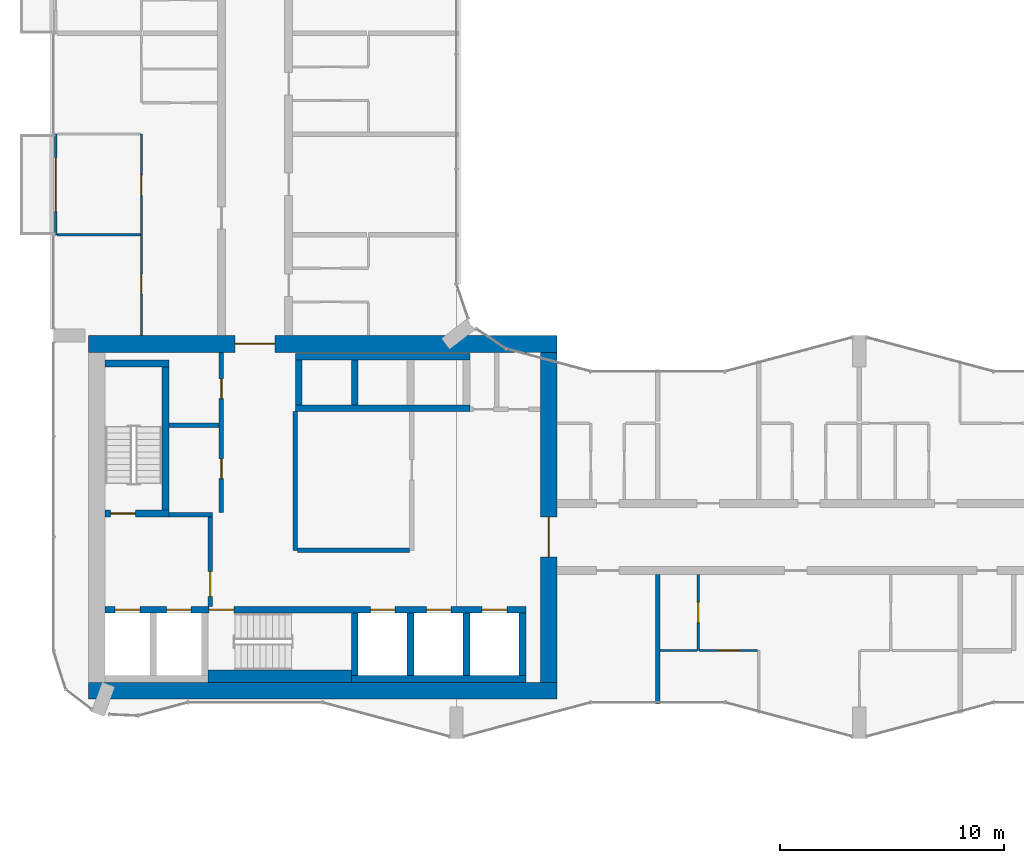
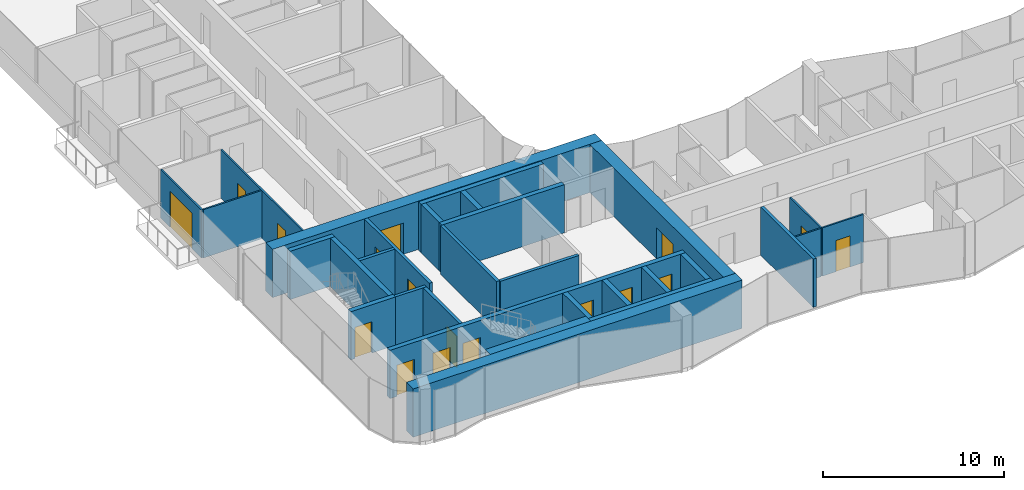
# One storey, part 14 of 24: 30 walls, 17 doors, 17 openings.
"""IFC4 building model written with IfcOpenShell, lengths in metres."""

import ifcopenshell
import ifcopenshell.guid

model = None  # the IFC model being written
_history = None  # IfcOwnerHistory: only IFC2X3 demands one
_inside = {}  # id of a spatial element -> (the spatial element, [elements in it])
_under = {}  # id of a project, library or spatial element -> (it, [spatial elements below it])
_declared = {}  # id of a project -> (the project, [libraries it declares])
_typed = {}  # id of a type object -> (the type object, [elements of that type])
_made_of = {}  # id of a material, layer set ... -> (it, [elements and type objects made of it])


def new_model(schema):
    """Start an empty IFC model of exactly this schema.

    Asked for "IFC4X3", IfcOpenShell would pick the latest addendum, in which some entities
    have other attributes; the version numbers below select the first issue.
    IFC2X3 requires an IfcOwnerHistory on every rooted entity: one is made here for all.
    """
    global model, _history
    if schema == "IFC4X3":
        model = ifcopenshell.file(schema_version=(4, 3, 0, 0))
    else:
        model = ifcopenshell.file(schema=schema)
    _inside.clear()
    _under.clear()
    _declared.clear()
    _typed.clear()
    _made_of.clear()
    _history = None
    if model.schema == "IFC2X3":
        org = make("IfcOrganization", Name="unknown")
        user = make(
            "IfcPersonAndOrganization",
            ThePerson=make("IfcPerson", FamilyName="unknown"),
            TheOrganization=org,
        )
        app = make(
            "IfcApplication",
            ApplicationDeveloper=org,
            Version="unknown",
            ApplicationFullName="unknown",
            ApplicationIdentifier="unknown",
        )
        _history = make(
            "IfcOwnerHistory",
            OwningUser=user,
            OwningApplication=app,
            ChangeAction="ADDED",
            CreationDate=0,
        )
    return model


def make(cls, **values):
    """One entity of the class cls with the attributes given. An attribute that is None is left unset."""
    return model.create_entity(
        cls, **{name: value for name, value in values.items() if value is not None}
    )


def rooted(cls, **values):
    """An entity with a GlobalId (a new one), such as an element, a storey or a relation."""
    return make(cls, GlobalId=ifcopenshell.guid.new(), OwnerHistory=_history, **values)


def si_unit(unit_type, name, prefix=None):
    """IfcSIUnit, for example si_unit("LENGTHUNIT", "METRE", prefix="MILLI")."""
    return make("IfcSIUnit", UnitType=unit_type, Prefix=prefix, Name=name)


def assignment(units):
    """IfcUnitAssignment: the units of a project."""
    return None if units is None else make("IfcUnitAssignment", Units=units)


def point(xyz):
    """IfcCartesianPoint."""
    return None if xyz is None else make("IfcCartesianPoint", Coordinates=xyz)


def direction(xyz):
    """IfcDirection."""
    return None if xyz is None else make("IfcDirection", DirectionRatios=xyz)


def frame(location, z_axis=None, x_axis=None):
    """IfcAxis2Placement3D, a coordinate frame: its origin and axes. An axis left out is left unset."""
    return make(
        "IfcAxis2Placement3D",
        Location=point(location),
        Axis=direction(z_axis),
        RefDirection=direction(x_axis),
    )


def frame_2d(location, x_axis=None):
    """IfcAxis2Placement2D, a coordinate frame in the plane: its origin and x axis."""
    return make(
        "IfcAxis2Placement2D", Location=point(location), RefDirection=direction(x_axis)
    )


def origin():
    """The frame at (0, 0, 0) with its axes left unset."""
    return frame((0.0, 0.0, 0.0))


def place(relative_to, where):
    """IfcLocalPlacement: puts the frame where relative to a parent placement (None: the world)."""
    return make(
        "IfcLocalPlacement", PlacementRelTo=relative_to, RelativePlacement=where
    )


def context(
    kind, dimensions, precision=None, world=None, true_north=None, identifier=None
):
    """IfcGeometricRepresentationContext, for example the 3D "Model" context."""
    return make(
        "IfcGeometricRepresentationContext",
        ContextIdentifier=identifier,
        ContextType=kind,
        CoordinateSpaceDimension=dimensions,
        Precision=precision,
        WorldCoordinateSystem=world,
        TrueNorth=true_north,
    )


def subcontext(parent, identifier, kind, view, scale=None):
    """IfcGeometricRepresentationSubContext, for example "Body" below "Model"."""
    return make(
        "IfcGeometricRepresentationSubContext",
        ContextIdentifier=identifier,
        ContextType=kind,
        ParentContext=parent,
        TargetScale=scale,
        TargetView=view,
    )


def project(units=None, contexts=None):
    """IfcProject with its units and contexts."""
    return rooted(
        "IfcProject",
        Name="project",
        RepresentationContexts=contexts,
        UnitsInContext=assignment(units),
    )


def spatial(cls, under=None, at=None, **own):
    """A site, building, storey or space (cls), placed at a placement, below another one or the project."""
    s = rooted(cls, ObjectPlacement=at, **own)
    if under is not None:
        _under.setdefault(under.id(), (under, []))[1].append(s)
    return s


def profile(cls, at=None, kind="AREA", **sizes):
    """A parametric profile (cls). Its sizes go by their IFC names, for example OverallWidth=200.0."""
    return make(cls, ProfileType=kind, Position=at, **sizes)


def rectangle(**sizes):
    """IfcRectangleProfileDef."""
    return profile("IfcRectangleProfileDef", **sizes)


def extrude(swept, where, along, depth):
    """IfcExtrudedAreaSolid: the profile swept, set in the frame where, extruded along a direction by depth."""
    return make(
        "IfcExtrudedAreaSolid",
        SweptArea=swept,
        Position=where,
        ExtrudedDirection=direction(along),
        Depth=depth,
    )


def shape(context_of_items, identifier, shape_type, items):
    """IfcShapeRepresentation: the items that make up one representation, for example the "Body"."""
    return make(
        "IfcShapeRepresentation",
        ContextOfItems=context_of_items,
        RepresentationIdentifier=identifier,
        RepresentationType=shape_type,
        Items=items,
    )


def material(Name=None, Category=None):
    """IfcMaterial."""
    return make("IfcMaterial", Name=Name, Category=Category)


def layer(
    of_material, thickness, ventilated=None, Name=None, Category=None, Priority=None
):
    """IfcMaterialLayer: one layer of a wall or slab, of a material (None: an air gap)."""
    return make(
        "IfcMaterialLayer",
        Material=of_material,
        LayerThickness=thickness,
        IsVentilated=ventilated,
        Name=Name,
        Category=Category,
        Priority=Priority,
    )


def layer_set(layers, Name=None):
    """IfcMaterialLayerSet."""
    return make("IfcMaterialLayerSet", MaterialLayers=layers, LayerSetName=Name)


def made_of(thing, what):
    """Note that an element or type object is made of a material, layer set ...; save() writes the relation."""
    if what is not None:
        _made_of.setdefault(what.id(), (what, []))[1].append(thing)
    return thing


def type_object(cls, material=None, **own):
    """A type object (cls), such as IfcWallType, which elements share."""
    return made_of(rooted(cls, **own), material)


def element(
    cls,
    number,
    at=None,
    inside=None,
    cuts=None,
    type_object=None,
    material=None,
    context=None,
    identifier="Body",
    shape_type=None,
    held_by="IfcProductDefinitionShape",
    body=None,
    shapes=None,
    **own,
):
    """One element of the class cls, such as IfcWall. Its Tag is "e" and its number.

    at: its placement. inside: the storey or other place that contains it. cuts: it is an
    opening in that element (IfcRelVoidsElement). A single representation is given by context,
    identifier, shape_type and body (its items); several are given by shapes. held_by: the class
    of the entity that holds the representations. save() writes the other relations.
    """
    e = rooted(cls, Tag="e%d" % number, ObjectPlacement=at, **own)
    if body is not None:
        shapes = [shape(context, identifier, shape_type, body)]
    if shapes is not None:
        e.Representation = make(held_by, Representations=shapes)
    if inside is not None:
        _inside.setdefault(inside.id(), (inside, []))[1].append(e)
    if cuts is not None:
        rooted(
            "IfcRelVoidsElement", RelatingBuildingElement=cuts, RelatedOpeningElement=e
        )
    if type_object is not None:
        _typed.setdefault(type_object.id(), (type_object, []))[1].append(e)
    return made_of(e, material)


def fill(opening, filler):
    """IfcRelFillsElement: the door or window that sits in an opening."""
    return rooted(
        "IfcRelFillsElement",
        RelatingOpeningElement=opening,
        RelatedBuildingElement=filler,
    )


def aggregate(whole, parts):
    """IfcRelAggregates: a whole, such as a stair, and the parts it consists of."""
    return rooted("IfcRelAggregates", RelatingObject=whole, RelatedObjects=parts)


def save(model, path):
    """Write the relations noted so far, then the file.

    IfcRelAggregates (storeys below a building ...), IfcRelContainedInSpatialStructure (elements
    in a storey), IfcRelDefinesByType, IfcRelAssociatesMaterial and IfcRelDeclares: one each for
    every whole, place, type object, material and project.
    """
    for whole, parts in _under.values():
        aggregate(whole, parts)
    for where, things in _inside.values():
        rooted(
            "IfcRelContainedInSpatialStructure",
            RelatedElements=things,
            RelatingStructure=where,
        )
    for kind, things in _typed.values():
        rooted("IfcRelDefinesByType", RelatedObjects=things, RelatingType=kind)
    for what, things in _made_of.values():
        rooted("IfcRelAssociatesMaterial", RelatedObjects=things, RelatingMaterial=what)
    for by, libraries in _declared.values():
        rooted("IfcRelDeclares", RelatingContext=by, RelatedDefinitions=libraries)
    model.write(path)


model = new_model("IFC4")

# Units and contexts
model_context = context("Model", 3, precision=1e-05, world=origin(), true_north=direction((0.0, 1.0)))
body_context = subcontext(model_context, "Body", "Model", "MODEL_VIEW")
ifc_project = project(units=[si_unit("LENGTHUNIT", "METRE"), si_unit("AREAUNIT", "SQUARE_METRE"), si_unit("VOLUMEUNIT", "CUBIC_METRE"), si_unit("PLANEANGLEUNIT", "RADIAN"), si_unit("MASSUNIT", "GRAM", prefix="KILO")], contexts=[model_context])

# Site, building, storey
site_placement = place(None, origin())
site = spatial("IfcSite", under=ifc_project, at=site_placement, CompositionType="ELEMENT")
building_placement = place(site_placement, origin())
building = spatial("IfcBuilding", under=site, at=building_placement, Name="Plateau Cross Towers", CompositionType="ELEMENT")
storey_placement = place(building_placement, frame((0.0, 0.0, 47.800048828125)))
storey = spatial("IfcBuildingStorey", under=building, at=storey_placement, Name="L11", CompositionType="ELEMENT", Elevation=47.800048828125)

# Wall, opening, door
ifc_material_1 = material(Name="Aluminium framed glazing", Category="aluminium")
ifc_layer_1 = layer(ifc_material_1, 0.10009765625)
ifc_layer_set_1 = layer_set([ifc_layer_1], Name="Aluminium framed glazing")
wall_type_1 = type_object("IfcWallType", Name="Balcony screen wall 100", PredefinedType="STANDARD", material=ifc_layer_set_1)
wall_1_placement = place(storey_placement, frame((0.10009765625, 22.5, 0.0), z_axis=(0.0, 0.0, 1.0), x_axis=(0.0, 1.0, 0.0)))
wall_1 = element("IfcWall", 1, at=wall_1_placement, inside=storey, type_object=wall_type_1, Name="Balcony screen wall A-BAL-L11-01", PredefinedType="STANDARD", context=body_context, shape_type="SweptSolid", body=[
    extrude(rectangle(XDim=4.5, YDim=0.10009765625, at=frame_2d((2.25, 0.0))), origin(), (0.0, 0.0, 1.0), 3.25),
])
opening_1_placement = place(wall_1_placement, frame((1.050048828125, 0.0, 0.0)))
opening_1 = element("IfcOpeningElement", 2, at=opening_1_placement, cuts=wall_1, Name="Opening D-B24", PredefinedType="OPENING", context=body_context, shape_type="SweptSolid", body=[
    extrude(rectangle(XDim=2.39990234375, YDim=2.39990234375, at=frame_2d((1.199951171875, 1.199951171875))), frame((0.0, 0.06005859375, 0.0), z_axis=(0.0, -1.0, 0.0), x_axis=(1.0, 0.0, 0.0)), (0.0, 0.0, 1.0), 0.1201171875),
])
ifc_material_2 = material(Name="Aluminium frame, double glazing", Category="aluminium")
door_type_1 = type_object("IfcDoorType", Name="Balcony sliding door 2400", OperationType="NOTDEFINED", PredefinedType="DOOR", material=ifc_material_2)
door_1_placement = place(opening_1_placement, origin())
door_1 = element("IfcDoor", 3, at=door_1_placement, inside=storey, type_object=door_type_1, Name="Balcony door A-BAL-L11-01", OperationType="SINGLE_SWING_LEFT", OverallHeight=2.39990234375, OverallWidth=2.39990234375, PredefinedType="DOOR", context=body_context, shape_type="SweptSolid", body=[
    extrude(rectangle(XDim=2.39990234375, YDim=2.39990234375, at=frame_2d((1.199951171875, 1.199951171875))), frame((0.0, 0.02490234375, 0.0), z_axis=(0.0, -1.0, 0.0), x_axis=(1.0, 0.0, 0.0)), (0.0, 0.0, 1.0), 0.050048828125),
])
fill(opening_1, door_1)

ifc_material_3 = material(Name="Concrete block, plastered both sides", Category="concrete")
ifc_layer_2 = layer(ifc_material_3, 0.199951171875)
ifc_layer_set_2 = layer_set([ifc_layer_2], Name="Concrete block, plastered both sides")
wall_type_2 = type_object("IfcWallType", Name="Core partition 200", PredefinedType="PARTITIONING", material=ifc_layer_set_2)
wall_2_placement = place(storey_placement, frame((7.0, 5.89990234375, 0.0), z_axis=(0.0, 0.0, 1.0), x_axis=(0.0, 1.0, 0.0)))
wall_2 = element("IfcWall", 4, at=wall_2_placement, inside=storey, type_object=wall_type_2, Name="Core partition", PredefinedType="PARTITIONING", context=body_context, shape_type="SweptSolid", body=[
    extrude(rectangle(XDim=4.0, YDim=0.199951171875, at=frame_2d((2.0, 0.0))), origin(), (0.0, 0.0, 1.0), 3.25),
])
opening_2_placement = place(wall_2_placement, frame((0.449951171875, 0.0, 0.0)))
opening_2 = element("IfcOpeningElement", 5, at=opening_2_placement, cuts=wall_2, Name="Opening FFD", PredefinedType="OPENING", context=body_context, shape_type="SweptSolid", body=[
    extrude(rectangle(XDim=1.10009765625, YDim=2.10009765625, at=frame_2d((0.550048828125, 1.050048828125))), frame((0.0, 0.10986328125, 0.0), z_axis=(0.0, -1.0, 0.0), x_axis=(1.0, 0.0, 0.0)), (0.0, 0.0, 1.0), 0.219970703125),
])
ifc_material_4 = material(Name="Steel, fire-resisting leaf", Category="steel")
door_type_2 = type_object("IfcDoorType", Name="Firefighting lobby door 1100", OperationType="NOTDEFINED", PredefinedType="DOOR", material=ifc_material_4)
door_2_placement = place(opening_2_placement, origin())
door_2 = element("IfcDoor", 6, at=door_2_placement, inside=storey, type_object=door_type_2, Name="Firefighting lobby door FFD", OperationType="SINGLE_SWING_LEFT", OverallHeight=2.10009765625, OverallWidth=1.10009765625, PredefinedType="DOOR", context=body_context, shape_type="SweptSolid", body=[
    extrude(rectangle(XDim=1.10009765625, YDim=2.10009765625, at=frame_2d((0.550048828125, 1.050048828125))), frame((0.0, 0.02490234375, 0.0), z_axis=(0.0, -1.0, 0.0), x_axis=(1.0, 0.0, 0.0)), (0.0, 0.0, 1.0), 0.050048828125),
])
fill(opening_2, door_2)

# Walls
wall_3_placement = place(storey_placement, frame((5.14990234375, 10.0, 0.0), z_axis=(0.0, 0.0, 1.0), x_axis=(1.0, 0.0, 0.0)))
element("IfcWall", 7, at=wall_3_placement, inside=storey, type_object=wall_type_2, Name="Core partition", PredefinedType="PARTITIONING", context=body_context, shape_type="SweptSolid", body=[
    extrude(rectangle(XDim=1.9501953125, YDim=0.199951171875, at=frame_2d((0.97509765625, 0.0))), origin(), (0.0, 0.0, 1.0), 3.25),
])
wall_4_placement = place(storey_placement, frame((10.800048828125, 8.39990234375, 0.0), z_axis=(0.0, 0.0, 1.0), x_axis=(0.0, 1.0, 0.0)))
element("IfcWall", 8, at=wall_4_placement, inside=storey, type_object=wall_type_2, Name="Core partition", PredefinedType="PARTITIONING", context=body_context, shape_type="SweptSolid", body=[
    extrude(rectangle(XDim=6.2001953125, YDim=0.199951171875, at=frame_2d((3.10009765625, 0.0))), origin(), (0.0, 0.0, 1.0), 3.25),
])
wall_5_placement = place(storey_placement, frame((10.89990234375, 8.39990234375, 0.0), z_axis=(0.0, 0.0, 1.0), x_axis=(1.0, 0.0, 0.0)))
element("IfcWall", 9, at=wall_5_placement, inside=storey, type_object=wall_type_2, Name="Core partition", PredefinedType="PARTITIONING", context=body_context, shape_type="SweptSolid", body=[
    extrude(rectangle(XDim=5.0, YDim=0.199951171875, at=frame_2d((2.5, 0.0))), origin(), (0.0, 0.0, 1.0), 3.25),
])

# Wall, openings, doors
wall_6_placement = place(storey_placement, frame((7.5, 10.10009765625, 0.0), z_axis=(0.0, 0.0, 1.0), x_axis=(0.0, 1.0, 0.0)))
wall_6 = element("IfcWall", 10, at=wall_6_placement, inside=storey, type_object=wall_type_2, Name="Core partition", PredefinedType="PARTITIONING", context=body_context, shape_type="SweptSolid", body=[
    extrude(rectangle(XDim=7.14990234375, YDim=0.199951171875, at=frame_2d((3.574951171875, 0.0))), origin(), (0.0, 0.0, 1.0), 3.25),
])
opening_3_placement = place(wall_6_placement, frame((1.5, 0.0, 0.0)))
opening_3 = element("IfcOpeningElement", 11, at=opening_3_placement, cuts=wall_6, Name="Opening RD1", PredefinedType="OPENING", context=body_context, shape_type="SweptSolid", body=[
    extrude(rectangle(XDim=0.89990234375, YDim=2.10009765625, at=frame_2d((0.449951171875, 1.050048828125))), frame((0.0, 0.10986328125, 0.0), z_axis=(0.0, -1.0, 0.0), x_axis=(1.0, 0.0, 0.0)), (0.0, 0.0, 1.0), 0.219970703125),
])
opening_4_placement = place(wall_6_placement, frame((5.074951171875, 0.0, 0.0)))
opening_4 = element("IfcOpeningElement", 12, at=opening_4_placement, cuts=wall_6, Name="Opening RD1", PredefinedType="OPENING", context=body_context, shape_type="SweptSolid", body=[
    extrude(rectangle(XDim=0.89990234375, YDim=2.10009765625, at=frame_2d((0.449951171875, 1.050048828125))), frame((0.0, 0.10986328125, 0.0), z_axis=(0.0, -1.0, 0.0), x_axis=(1.0, 0.0, 0.0)), (0.0, 0.0, 1.0), 0.219970703125),
])
ifc_material_5 = material(Name="Timber, fire-resisting leaf", Category="wood")
door_type_3 = type_object("IfcDoorType", Name="Core service door 900", OperationType="NOTDEFINED", PredefinedType="DOOR", material=ifc_material_5)
door_3_placement = place(opening_3_placement, origin())
door_3 = element("IfcDoor", 13, at=door_3_placement, inside=storey, type_object=door_type_3, Name="Core service door RD1", OperationType="SINGLE_SWING_RIGHT", OverallHeight=2.10009765625, OverallWidth=0.89990234375, PredefinedType="DOOR", context=body_context, shape_type="SweptSolid", body=[
    extrude(rectangle(XDim=0.89990234375, YDim=2.10009765625, at=frame_2d((0.449951171875, 1.050048828125))), frame((0.0, 0.02490234375, 0.0), z_axis=(0.0, -1.0, 0.0), x_axis=(1.0, 0.0, 0.0)), (0.0, 0.0, 1.0), 0.050048828125),
])
fill(opening_3, door_3)
door_4_placement = place(opening_4_placement, origin())
door_4 = element("IfcDoor", 14, at=door_4_placement, inside=storey, type_object=door_type_3, Name="Core service door RD1", OperationType="SINGLE_SWING_RIGHT", OverallHeight=2.10009765625, OverallWidth=0.89990234375, PredefinedType="DOOR", context=body_context, shape_type="SweptSolid", body=[
    extrude(rectangle(XDim=0.89990234375, YDim=2.10009765625, at=frame_2d((0.449951171875, 1.050048828125))), frame((0.0, 0.02490234375, 0.0), z_axis=(0.0, -1.0, 0.0), x_axis=(1.0, 0.0, 0.0)), (0.0, 0.0, 1.0), 0.050048828125),
])
fill(opening_4, door_4)

# Walls
wall_7_placement = place(storey_placement, frame((5.14990234375, 14.0, 0.0), z_axis=(0.0, 0.0, 1.0), x_axis=(1.0, 0.0, 0.0)))
element("IfcWall", 15, at=wall_7_placement, inside=storey, type_object=wall_type_2, Name="Core partition", PredefinedType="PARTITIONING", context=body_context, shape_type="SweptSolid", body=[
    extrude(rectangle(XDim=2.25, YDim=0.199951171875, at=frame_2d((1.125, 0.0))), origin(), (0.0, 0.0, 1.0), 3.25),
])
ifc_material_6 = material(Name="Concrete C60/75", Category="concrete")
ifc_layer_3 = layer(ifc_material_6, 0.300048828125)
ifc_layer_set_3 = layer_set([ifc_layer_3], Name="Concrete C60/75")
wall_type_3 = type_object("IfcWallType", Name="Core shaft wall 300", PredefinedType="SHEAR", material=ifc_layer_set_3)
wall_8_placement = place(storey_placement, frame((13.300048828125, 2.64990234375, 0.0), z_axis=(0.0, 0.0, 1.0), x_axis=(1.0, 0.0, 0.0)))
element("IfcWall", 16, at=wall_8_placement, inside=storey, type_object=wall_type_3, Name="A-sb-back3@L11", PredefinedType="SHEAR", context=body_context, shape_type="SweptSolid", body=[
    extrude(rectangle(XDim=7.800048828125, YDim=0.300048828125, at=frame_2d((3.89990234375, 0.0))), origin(), (0.0, 0.0, 1.0), 3.25),
])
for number, where, z_axis, x_axis, name in (
    (17, (13.449951171875, 2.800048828125, 0.0), (0.0, 0.0, 1.0), (0.0, 1.0, 0.0), "A-sb-v3@L11"),
    (18, (15.949951171875, 2.800048828125, 0.0), (0.0, 0.0, 1.0), (0.0, 1.0, 0.0), "A-sb-v4@L11"),
    (19, (18.449951171875, 2.800048828125, 0.0), (0.0, 0.0, 1.0), (0.0, 1.0, 0.0), "A-sb-v5@L11"),
    (20, (20.949951171875, 2.800048828125, 0.0), (0.0, 0.0, 1.0), (0.0, 1.0, 0.0), "A-sb-v6@L11"),
):
    element("IfcWall", number, at=place(storey_placement, frame(where, z_axis=z_axis, x_axis=x_axis)), inside=storey, type_object=wall_type_3, Name=name, PredefinedType="SHEAR", context=body_context, shape_type="SweptSolid", body=[
        extrude(rectangle(XDim=2.800048828125, YDim=0.300048828125, at=frame_2d((1.39990234375, 0.0))), origin(), (0.0, 0.0, 1.0), 3.25),
    ])

# Wall, openings, doors
wall_9_placement = place(storey_placement, frame((2.300048828125, 5.75, 0.0), z_axis=(0.0, 0.0, 1.0), x_axis=(1.0, 0.0, 0.0)))
wall_9 = element("IfcWall", 21, at=wall_9_placement, inside=storey, type_object=wall_type_3, Name="A-sb-front@L11", PredefinedType="SHEAR", context=body_context, shape_type="SweptSolid", body=[
    extrude(rectangle(XDim=18.800048828125, YDim=0.300048828125, at=frame_2d((9.39990234375, 0.0))), origin(), (0.0, 0.0, 1.0), 3.25),
])
opening_5_placement = place(wall_9_placement, frame((4.64990234375, 0.0, 0.0)))
opening_5 = element("IfcOpeningElement", 22, at=opening_5_placement, cuts=wall_9, Name="Opening SD", PredefinedType="OPENING", context=body_context, shape_type="SweptSolid", body=[
    extrude(rectangle(XDim=1.10009765625, YDim=2.10009765625, at=frame_2d((0.550048828125, 1.050048828125))), frame((0.0, 0.159912109375, 0.0), z_axis=(0.0, -1.0, 0.0), x_axis=(1.0, 0.0, 0.0)), (0.0, 0.0, 1.0), 0.320068359375),
])
opening_6_placement = place(wall_9_placement, frame((0.449951171875, 0.0, 0.0)))
opening_6 = element("IfcOpeningElement", 23, at=opening_6_placement, cuts=wall_9, Name="Opening LD", PredefinedType="OPENING", context=body_context, shape_type="SweptSolid", body=[
    extrude(rectangle(XDim=1.10009765625, YDim=2.10009765625, at=frame_2d((0.550048828125, 1.050048828125))), frame((0.0, 0.159912109375, 0.0), z_axis=(0.0, -1.0, 0.0), x_axis=(1.0, 0.0, 0.0)), (0.0, 0.0, 1.0), 0.320068359375),
])
opening_7_placement = place(wall_9_placement, frame((2.75, 0.0, 0.0)))
opening_7 = element("IfcOpeningElement", 24, at=opening_7_placement, cuts=wall_9, Name="Opening LD", PredefinedType="OPENING", context=body_context, shape_type="SweptSolid", body=[
    extrude(rectangle(XDim=1.10009765625, YDim=2.10009765625, at=frame_2d((0.550048828125, 1.050048828125))), frame((0.0, 0.159912109375, 0.0), z_axis=(0.0, -1.0, 0.0), x_axis=(1.0, 0.0, 0.0)), (0.0, 0.0, 1.0), 0.320068359375),
])
opening_8_placement = place(wall_9_placement, frame((11.85009765625, 0.0, 0.0)))
opening_8 = element("IfcOpeningElement", 25, at=opening_8_placement, cuts=wall_9, Name="Opening LD", PredefinedType="OPENING", context=body_context, shape_type="SweptSolid", body=[
    extrude(rectangle(XDim=1.10009765625, YDim=2.10009765625, at=frame_2d((0.550048828125, 1.050048828125))), frame((0.0, 0.159912109375, 0.0), z_axis=(0.0, -1.0, 0.0), x_axis=(1.0, 0.0, 0.0)), (0.0, 0.0, 1.0), 0.320068359375),
])
opening_9_placement = place(wall_9_placement, frame((14.35009765625, 0.0, 0.0)))
opening_9 = element("IfcOpeningElement", 26, at=opening_9_placement, cuts=wall_9, Name="Opening LD", PredefinedType="OPENING", context=body_context, shape_type="SweptSolid", body=[
    extrude(rectangle(XDim=1.10009765625, YDim=2.10009765625, at=frame_2d((0.550048828125, 1.050048828125))), frame((0.0, 0.159912109375, 0.0), z_axis=(0.0, -1.0, 0.0), x_axis=(1.0, 0.0, 0.0)), (0.0, 0.0, 1.0), 0.320068359375),
])
opening_10_placement = place(wall_9_placement, frame((16.85009765625, 0.0, 0.0)))
opening_10 = element("IfcOpeningElement", 27, at=opening_10_placement, cuts=wall_9, Name="Opening LD", PredefinedType="OPENING", context=body_context, shape_type="SweptSolid", body=[
    extrude(rectangle(XDim=1.10009765625, YDim=2.10009765625, at=frame_2d((0.550048828125, 1.050048828125))), frame((0.0, 0.159912109375, 0.0), z_axis=(0.0, -1.0, 0.0), x_axis=(1.0, 0.0, 0.0)), (0.0, 0.0, 1.0), 0.320068359375),
])
ifc_material_7 = material(Name="Stainless steel, fire-resisting sliding leaves", Category="steel")
door_type_4 = type_object("IfcDoorType", Name="Lift landing door 1100", OperationType="NOTDEFINED", PredefinedType="DOOR", material=ifc_material_7)
door_5_placement = place(opening_6_placement, origin())
door_5 = element("IfcDoor", 28, at=door_5_placement, inside=storey, type_object=door_type_4, Name="Lift landing door LD", OperationType="DOUBLE_DOOR_SLIDING", OverallHeight=2.10009765625, OverallWidth=1.10009765625, PredefinedType="DOOR", context=body_context, shape_type="SweptSolid", body=[
    extrude(rectangle(XDim=1.10009765625, YDim=2.10009765625, at=frame_2d((0.550048828125, 1.050048828125))), frame((0.0, 0.02490234375, 0.0), z_axis=(0.0, -1.0, 0.0), x_axis=(1.0, 0.0, 0.0)), (0.0, 0.0, 1.0), 0.050048828125),
])
fill(opening_6, door_5)
door_6_placement = place(opening_7_placement, origin())
door_6 = element("IfcDoor", 29, at=door_6_placement, inside=storey, type_object=door_type_4, Name="Lift landing door LD", OperationType="DOUBLE_DOOR_SLIDING", OverallHeight=2.10009765625, OverallWidth=1.10009765625, PredefinedType="DOOR", context=body_context, shape_type="SweptSolid", body=[
    extrude(rectangle(XDim=1.10009765625, YDim=2.10009765625, at=frame_2d((0.550048828125, 1.050048828125))), frame((0.0, 0.02490234375, 0.0), z_axis=(0.0, -1.0, 0.0), x_axis=(1.0, 0.0, 0.0)), (0.0, 0.0, 1.0), 0.050048828125),
])
fill(opening_7, door_6)
door_7_placement = place(opening_8_placement, origin())
door_7 = element("IfcDoor", 30, at=door_7_placement, inside=storey, type_object=door_type_4, Name="Lift landing door LD", OperationType="DOUBLE_DOOR_SLIDING", OverallHeight=2.10009765625, OverallWidth=1.10009765625, PredefinedType="DOOR", context=body_context, shape_type="SweptSolid", body=[
    extrude(rectangle(XDim=1.10009765625, YDim=2.10009765625, at=frame_2d((0.550048828125, 1.050048828125))), frame((0.0, 0.02490234375, 0.0), z_axis=(0.0, -1.0, 0.0), x_axis=(1.0, 0.0, 0.0)), (0.0, 0.0, 1.0), 0.050048828125),
])
fill(opening_8, door_7)
door_8_placement = place(opening_9_placement, origin())
door_8 = element("IfcDoor", 31, at=door_8_placement, inside=storey, type_object=door_type_4, Name="Lift landing door LD", OperationType="DOUBLE_DOOR_SLIDING", OverallHeight=2.10009765625, OverallWidth=1.10009765625, PredefinedType="DOOR", context=body_context, shape_type="SweptSolid", body=[
    extrude(rectangle(XDim=1.10009765625, YDim=2.10009765625, at=frame_2d((0.550048828125, 1.050048828125))), frame((0.0, 0.02490234375, 0.0), z_axis=(0.0, -1.0, 0.0), x_axis=(1.0, 0.0, 0.0)), (0.0, 0.0, 1.0), 0.050048828125),
])
fill(opening_9, door_8)
door_9_placement = place(opening_10_placement, origin())
door_9 = element("IfcDoor", 32, at=door_9_placement, inside=storey, type_object=door_type_4, Name="Lift landing door LD", OperationType="DOUBLE_DOOR_SLIDING", OverallHeight=2.10009765625, OverallWidth=1.10009765625, PredefinedType="DOOR", context=body_context, shape_type="SweptSolid", body=[
    extrude(rectangle(XDim=1.10009765625, YDim=2.10009765625, at=frame_2d((0.550048828125, 1.050048828125))), frame((0.0, 0.02490234375, 0.0), z_axis=(0.0, -1.0, 0.0), x_axis=(1.0, 0.0, 0.0)), (0.0, 0.0, 1.0), 0.050048828125),
])
fill(opening_10, door_9)
door_type_5 = type_object("IfcDoorType", Name="Stair door 1100", OperationType="NOTDEFINED", PredefinedType="DOOR", material=ifc_material_4)
door_10_placement = place(opening_5_placement, origin())
door_10 = element("IfcDoor", 33, at=door_10_placement, inside=storey, type_object=door_type_5, Name="Stair door SD", OperationType="SINGLE_SWING_LEFT", OverallHeight=2.10009765625, OverallWidth=1.10009765625, PredefinedType="DOOR", context=body_context, shape_type="SweptSolid", body=[
    extrude(rectangle(XDim=1.10009765625, YDim=2.10009765625, at=frame_2d((0.550048828125, 1.050048828125))), frame((0.0, 0.02490234375, 0.0), z_axis=(0.0, -1.0, 0.0), x_axis=(1.0, 0.0, 0.0)), (0.0, 0.0, 1.0), 0.050048828125),
])
fill(opening_5, door_10)

# Wall, opening, door
wall_10_placement = place(storey_placement, frame((2.300048828125, 10.050048828125, 0.0), z_axis=(0.0, 0.0, 1.0), x_axis=(1.0, 0.0, 0.0)))
wall_10 = element("IfcWall", 34, at=wall_10_placement, inside=storey, type_object=wall_type_3, Name="A-st1-S@L11", PredefinedType="SHEAR", context=body_context, shape_type="SweptSolid", body=[
    extrude(rectangle(XDim=2.849853515625, YDim=0.300048828125, at=frame_2d((1.4248046875, 0.0))), origin(), (0.0, 0.0, 1.0), 3.25),
])
opening_11_placement = place(wall_10_placement, frame((0.25, 0.0, 0.0)))
opening_11 = element("IfcOpeningElement", 35, at=opening_11_placement, cuts=wall_10, Name="Opening SD", PredefinedType="OPENING", context=body_context, shape_type="SweptSolid", body=[
    extrude(rectangle(XDim=1.10009765625, YDim=2.10009765625, at=frame_2d((0.550048828125, 1.050048828125))), frame((0.0, 0.159912109375, 0.0), z_axis=(0.0, -1.0, 0.0), x_axis=(1.0, 0.0, 0.0)), (0.0, 0.0, 1.0), 0.320068359375),
])
door_11_placement = place(opening_11_placement, origin())
door_11 = element("IfcDoor", 36, at=door_11_placement, inside=storey, type_object=door_type_5, Name="Stair door SD", OperationType="SINGLE_SWING_RIGHT", OverallHeight=2.10009765625, OverallWidth=1.10009765625, PredefinedType="DOOR", context=body_context, shape_type="SweptSolid", body=[
    extrude(rectangle(XDim=1.10009765625, YDim=2.10009765625, at=frame_2d((0.550048828125, 1.050048828125))), frame((0.0, 0.02490234375, 0.0), z_axis=(0.0, -1.0, 0.0), x_axis=(1.0, 0.0, 0.0)), (0.0, 0.0, 1.0), 0.050048828125),
])
fill(opening_11, door_11)

# Walls
wall_11_placement = place(storey_placement, frame((5.0, 10.199951171875, 0.0), z_axis=(0.0, 0.0, 1.0), x_axis=(0.0, 1.0, 0.0)))
element("IfcWall", 37, at=wall_11_placement, inside=storey, type_object=wall_type_3, Name="A-st1-E@L11", PredefinedType="SHEAR", context=body_context, shape_type="SweptSolid", body=[
    extrude(rectangle(XDim=6.400146484375, YDim=0.300048828125, at=frame_2d((3.2001953125, 0.0))), origin(), (0.0, 0.0, 1.0), 3.25),
])
wall_12_placement = place(storey_placement, frame((2.300048828125, 16.75, 0.0), z_axis=(0.0, 0.0, 1.0), x_axis=(1.0, 0.0, 0.0)))
element("IfcWall", 38, at=wall_12_placement, inside=storey, type_object=wall_type_3, Name="A-st1-N@L11", PredefinedType="SHEAR", context=body_context, shape_type="SweptSolid", body=[
    extrude(rectangle(XDim=2.849853515625, YDim=0.300048828125, at=frame_2d((1.4248046875, 0.0))), origin(), (0.0, 0.0, 1.0), 3.25),
])
for number, where, z_axis, x_axis, name in (
    (39, (10.800048828125, 17.050048828125, 0.0), (0.0, 0.0, 1.0), (1.0, 0.0, 0.0), "A-nb-back@L11"),
    (40, (10.800048828125, 14.75, 0.0), (0.0, 0.0, 1.0), (1.0, 0.0, 0.0), "A-nb-front@L11"),
):
    element("IfcWall", number, at=place(storey_placement, frame(where, z_axis=z_axis, x_axis=x_axis)), inside=storey, type_object=wall_type_3, Name=name, PredefinedType="SHEAR", context=body_context, shape_type="SweptSolid", body=[
        extrude(rectangle(XDim=7.800048828125, YDim=0.300048828125, at=frame_2d((3.89990234375, 0.0))), origin(), (0.0, 0.0, 1.0), 3.25),
    ])
for number, where, z_axis, x_axis, name in (
    (41, (10.949951171875, 14.89990234375, 0.0), (0.0, 0.0, 1.0), (0.0, 1.0, 0.0), "A-nb-v1@L11"),
    (42, (13.449951171875, 14.89990234375, 0.0), (0.0, 0.0, 1.0), (0.0, 1.0, 0.0), "A-nb-v2@L11"),
):
    element("IfcWall", number, at=place(storey_placement, frame(where, z_axis=z_axis, x_axis=x_axis)), inside=storey, type_object=wall_type_3, Name=name, PredefinedType="SHEAR", context=body_context, shape_type="SweptSolid", body=[
        extrude(rectangle(XDim=2.0, YDim=0.300048828125, at=frame_2d((1.0, 0.0))), origin(), (0.0, 0.0, 1.0), 3.25),
    ])
ifc_layer_4 = layer(ifc_material_6, 0.550048828125)
ifc_layer_set_4 = layer_set([ifc_layer_4], Name="Concrete C60/75")
wall_type_4 = type_object("IfcWallType", Name="Core shaft wall 550", PredefinedType="SHEAR", material=ifc_layer_set_4)
wall_13_placement = place(storey_placement, frame((6.89990234375, 2.77490234375, 0.0), z_axis=(0.0, 0.0, 1.0), x_axis=(1.0, 0.0, 0.0)))
element("IfcWall", 43, at=wall_13_placement, inside=storey, type_object=wall_type_4, Name="A-sb-back2@L11", PredefinedType="SHEAR", context=body_context, shape_type="SweptSolid", body=[
    extrude(rectangle(XDim=6.400146484375, YDim=0.550048828125, at=frame_2d((3.2001953125, 0.0))), origin(), (0.0, 0.0, 1.0), 3.25),
])
ifc_layer_5 = layer(ifc_material_6, 0.75)
ifc_layer_set_5 = layer_set([ifc_layer_5], Name="Concrete C60/75")
wall_type_5 = type_object("IfcWallType", Name="Core shell wall 750", PredefinedType="SHEAR", material=ifc_layer_set_5)
wall_14_placement = place(storey_placement, frame((1.550048828125, 2.125, 0.0), z_axis=(0.0, 0.0, 1.0), x_axis=(1.0, 0.0, 0.0)))
element("IfcWall", 44, at=wall_14_placement, inside=storey, type_object=wall_type_5, Name="A-core-S@L11", PredefinedType="SHEAR", context=body_context, shape_type="SweptSolid", body=[
    extrude(rectangle(XDim=20.949951171875, YDim=0.75, at=frame_2d((10.47509765625, 0.0))), origin(), (0.0, 0.0, 1.0), 3.25),
])

# Wall, opening, door
wall_15_placement = place(storey_placement, frame((1.550048828125, 17.625, 0.0), z_axis=(0.0, 0.0, 1.0), x_axis=(1.0, 0.0, 0.0)))
wall_15 = element("IfcWall", 45, at=wall_15_placement, inside=storey, type_object=wall_type_5, Name="A-core-N@L11", PredefinedType="SHEAR", context=body_context, shape_type="SweptSolid", body=[
    extrude(rectangle(XDim=20.949951171875, YDim=0.75, at=frame_2d((10.47509765625, 0.0))), origin(), (0.0, 0.0, 1.0), 3.25),
])
opening_12_placement = place(wall_15_placement, frame((6.550048828125, 0.0, 0.0)))
opening_12 = element("IfcOpeningElement", 46, at=opening_12_placement, cuts=wall_15, Name="Opening CD", PredefinedType="OPENING", context=body_context, shape_type="SweptSolid", body=[
    extrude(rectangle(XDim=1.800048828125, YDim=2.10009765625, at=frame_2d((0.89990234375, 1.050048828125))), frame((0.0, 0.385009765625, 0.0), z_axis=(0.0, -1.0, 0.0), x_axis=(1.0, 0.0, 0.0)), (0.0, 0.0, 1.0), 0.77001953125),
])
ifc_material_8 = material(Name="Steel, fire-resisting leaves", Category="steel")
door_type_6 = type_object("IfcDoorType", Name="Corridor door pair 1800", OperationType="NOTDEFINED", PredefinedType="DOOR", material=ifc_material_8)
door_12_placement = place(opening_12_placement, origin())
door_12 = element("IfcDoor", 47, at=door_12_placement, inside=storey, type_object=door_type_6, Name="Corridor door pair CD", OperationType="DOUBLE_DOOR_SINGLE_SWING", OverallHeight=2.10009765625, OverallWidth=1.800048828125, PredefinedType="DOOR", context=body_context, shape_type="SweptSolid", body=[
    extrude(rectangle(XDim=1.800048828125, YDim=2.10009765625, at=frame_2d((0.89990234375, 1.050048828125))), frame((0.0, 0.02490234375, 0.0), z_axis=(0.0, -1.0, 0.0), x_axis=(1.0, 0.0, 0.0)), (0.0, 0.0, 1.0), 0.050048828125),
])
fill(opening_12, door_12)

wall_16_placement = place(storey_placement, frame((22.125, 2.5, 0.0), z_axis=(0.0, 0.0, 1.0), x_axis=(0.0, 1.0, 0.0)))
wall_16 = element("IfcWall", 48, at=wall_16_placement, inside=storey, type_object=wall_type_5, Name="A-core-E@L11", PredefinedType="SHEAR", context=body_context, shape_type="SweptSolid", body=[
    extrude(rectangle(XDim=14.75, YDim=0.75, at=frame_2d((7.375, 0.0))), origin(), (0.0, 0.0, 1.0), 3.25),
])
opening_13_placement = place(wall_16_placement, frame((5.60009765625, 0.0, 0.0)))
opening_13 = element("IfcOpeningElement", 49, at=opening_13_placement, cuts=wall_16, Name="Opening CD", PredefinedType="OPENING", context=body_context, shape_type="SweptSolid", body=[
    extrude(rectangle(XDim=1.800048828125, YDim=2.10009765625, at=frame_2d((0.89990234375, 1.050048828125))), frame((0.0, 0.385009765625, 0.0), z_axis=(0.0, -1.0, 0.0), x_axis=(1.0, 0.0, 0.0)), (0.0, 0.0, 1.0), 0.77001953125),
])
door_13_placement = place(opening_13_placement, origin())
door_13 = element("IfcDoor", 50, at=door_13_placement, inside=storey, type_object=door_type_6, Name="Corridor door pair CD", OperationType="DOUBLE_DOOR_SINGLE_SWING", OverallHeight=2.10009765625, OverallWidth=1.800048828125, PredefinedType="DOOR", context=body_context, shape_type="SweptSolid", body=[
    extrude(rectangle(XDim=1.800048828125, YDim=2.10009765625, at=frame_2d((0.89990234375, 1.050048828125))), frame((0.0, 0.02490234375, 0.0), z_axis=(0.0, -1.0, 0.0), x_axis=(1.0, 0.0, 0.0)), (0.0, 0.0, 1.0), 0.050048828125),
])
fill(opening_13, door_13)

ifc_material_9 = material(Name="Gypsum board on steel studs", Category="steel")
ifc_layer_6 = layer(ifc_material_9, 0.10009765625)
ifc_layer_set_6 = layer_set([ifc_layer_6], Name="Gypsum board on steel studs")
wall_type_6 = type_object("IfcWallType", Name="Flat partition 100", PredefinedType="PARTITIONING", material=ifc_layer_set_6)
wall_17_placement = place(storey_placement, frame((31.449951171875, 3.925048828125, 0.0), z_axis=(0.0, 0.0, 1.0), x_axis=(-1.0, 0.0, 0.0)))
wall_17 = element("IfcWall", 51, at=wall_17_placement, inside=storey, type_object=wall_type_6, Name="Partition wall", PredefinedType="PARTITIONING", context=body_context, shape_type="SweptSolid", body=[
    extrude(rectangle(XDim=2.599853515625, YDim=0.10009765625, at=frame_2d((1.2998046875, 0.0))), origin(), (0.0, 0.0, 1.0), 3.25),
])
opening_14_placement = place(wall_17_placement, frame((0.85009765625, 0.0, 0.0)))
opening_14 = element("IfcOpeningElement", 52, at=opening_14_placement, cuts=wall_17, Name="Opening 11-21", PredefinedType="OPENING", context=body_context, shape_type="SweptSolid", body=[
    extrude(rectangle(XDim=0.89990234375, YDim=2.10009765625, at=frame_2d((0.449951171875, 1.050048828125))), frame((0.0, 0.06005859375, 0.0), z_axis=(0.0, -1.0, 0.0), x_axis=(1.0, 0.0, 0.0)), (0.0, 0.0, 1.0), 0.1201171875),
])
ifc_material_10 = material(Name="Timber leaf", Category="wood")
door_type_7 = type_object("IfcDoorType", Name="Flat room door 900", OperationType="NOTDEFINED", PredefinedType="DOOR", material=ifc_material_10)
door_14_placement = place(opening_14_placement, origin())
door_14 = element("IfcDoor", 53, at=door_14_placement, inside=storey, type_object=door_type_7, Name="Door 11-21", OperationType="SINGLE_SWING_RIGHT", OverallHeight=2.10009765625, OverallWidth=0.89990234375, PredefinedType="DOOR", context=body_context, shape_type="SweptSolid", body=[
    extrude(rectangle(XDim=0.89990234375, YDim=2.10009765625, at=frame_2d((0.449951171875, 1.050048828125))), frame((0.0, 0.02490234375, 0.0), z_axis=(0.0, -1.0, 0.0), x_axis=(1.0, 0.0, 0.0)), (0.0, 0.0, 1.0), 0.050048828125),
])
fill(opening_14, door_14)

# Walls
wall_18_placement = place(storey_placement, frame((27.10009765625, 3.925048828125, 0.0), z_axis=(0.0, 0.0, 1.0), x_axis=(1.0, 0.0, 0.0)))
element("IfcWall", 54, at=wall_18_placement, inside=storey, type_object=wall_type_6, Name="Partition wall", PredefinedType="PARTITIONING", context=body_context, shape_type="SweptSolid", body=[
    extrude(rectangle(XDim=1.64990234375, YDim=0.10009765625, at=frame_2d((0.824951171875, 0.0))), origin(), (0.0, 0.0, 1.0), 3.25),
])
wall_19_placement = place(storey_placement, frame((3.875, 22.5, 0.0), z_axis=(0.0, 0.0, 1.0), x_axis=(-1.0, 0.0, 0.0)))
element("IfcWall", 55, at=wall_19_placement, inside=storey, type_object=wall_type_6, Name="Partition wall", PredefinedType="PARTITIONING", context=body_context, shape_type="SweptSolid", body=[
    extrude(rectangle(XDim=3.72509765625, YDim=0.10009765625, at=frame_2d((1.862548828125, 0.0))), origin(), (0.0, 0.0, 1.0), 3.25),
])

# Wall, openings, doors
wall_20_placement = place(storey_placement, frame((3.925048828125, 18.0, 0.0), z_axis=(0.0, 0.0, 1.0), x_axis=(0.0, 1.0, 0.0)))
wall_20 = element("IfcWall", 56, at=wall_20_placement, inside=storey, type_object=wall_type_6, Name="Partition wall", PredefinedType="PARTITIONING", context=body_context, shape_type="SweptSolid", body=[
    extrude(rectangle(XDim=9.0, YDim=0.10009765625, at=frame_2d((4.5, 0.0))), origin(), (0.0, 0.0, 1.0), 3.25),
])
opening_15_placement = place(wall_20_placement, frame((1.85009765625, 0.0, 0.0)))
opening_15 = element("IfcOpeningElement", 57, at=opening_15_placement, cuts=wall_20, Name="Opening 11-34", PredefinedType="OPENING", context=body_context, shape_type="SweptSolid", body=[
    extrude(rectangle(XDim=0.89990234375, YDim=2.10009765625, at=frame_2d((0.449951171875, 1.050048828125))), frame((0.0, 0.06005859375, 0.0), z_axis=(0.0, -1.0, 0.0), x_axis=(1.0, 0.0, 0.0)), (0.0, 0.0, 1.0), 0.1201171875),
])
opening_16_placement = place(wall_20_placement, frame((6.25, 0.0, 0.0)))
opening_16 = element("IfcOpeningElement", 58, at=opening_16_placement, cuts=wall_20, Name="Opening 11-35", PredefinedType="OPENING", context=body_context, shape_type="SweptSolid", body=[
    extrude(rectangle(XDim=0.89990234375, YDim=2.10009765625, at=frame_2d((0.449951171875, 1.050048828125))), frame((0.0, 0.06005859375, 0.0), z_axis=(0.0, -1.0, 0.0), x_axis=(1.0, 0.0, 0.0)), (0.0, 0.0, 1.0), 0.1201171875),
])
door_15_placement = place(opening_15_placement, origin())
door_15 = element("IfcDoor", 59, at=door_15_placement, inside=storey, type_object=door_type_7, Name="Door 11-34", OperationType="SINGLE_SWING_LEFT", OverallHeight=2.10009765625, OverallWidth=0.89990234375, PredefinedType="DOOR", context=body_context, shape_type="SweptSolid", body=[
    extrude(rectangle(XDim=0.89990234375, YDim=2.10009765625, at=frame_2d((0.449951171875, 1.050048828125))), frame((0.0, 0.02490234375, 0.0), z_axis=(0.0, -1.0, 0.0), x_axis=(1.0, 0.0, 0.0)), (0.0, 0.0, 1.0), 0.050048828125),
])
fill(opening_15, door_15)
door_16_placement = place(opening_16_placement, origin())
door_16 = element("IfcDoor", 60, at=door_16_placement, inside=storey, type_object=door_type_7, Name="Door 11-35", OperationType="SINGLE_SWING_RIGHT", OverallHeight=2.10009765625, OverallWidth=0.89990234375, PredefinedType="DOOR", context=body_context, shape_type="SweptSolid", body=[
    extrude(rectangle(XDim=0.89990234375, YDim=2.10009765625, at=frame_2d((0.449951171875, 1.050048828125))), frame((0.0, 0.02490234375, 0.0), z_axis=(0.0, -1.0, 0.0), x_axis=(1.0, 0.0, 0.0)), (0.0, 0.0, 1.0), 0.050048828125),
])
fill(opening_16, door_16)

# Wall, opening, door
wall_21_placement = place(storey_placement, frame((28.800048828125, 3.925048828125, 0.0), z_axis=(0.0, 0.0, 1.0), x_axis=(0.0, 1.0, 0.0)))
wall_21 = element("IfcWall", 61, at=wall_21_placement, inside=storey, type_object=wall_type_6, Name="Partition wall", PredefinedType="PARTITIONING", context=body_context, shape_type="SweptSolid", body=[
    extrude(rectangle(XDim=3.39990234375, YDim=0.10009765625, at=frame_2d((1.699951171875, 0.0))), origin(), (0.0, 0.0, 1.0), 3.25),
])
opening_17_placement = place(wall_21_placement, frame((1.25, 0.0, 0.0)))
opening_17 = element("IfcOpeningElement", 62, at=opening_17_placement, cuts=wall_21, Name="Opening 11-19", PredefinedType="OPENING", context=body_context, shape_type="SweptSolid", body=[
    extrude(rectangle(XDim=0.89990234375, YDim=2.10009765625, at=frame_2d((0.449951171875, 1.050048828125))), frame((0.0, 0.06005859375, 0.0), z_axis=(0.0, -1.0, 0.0), x_axis=(1.0, 0.0, 0.0)), (0.0, 0.0, 1.0), 0.1201171875),
])
door_17_placement = place(opening_17_placement, origin())
door_17 = element("IfcDoor", 63, at=door_17_placement, inside=storey, type_object=door_type_7, Name="Door 11-19", OperationType="SINGLE_SWING_LEFT", OverallHeight=2.10009765625, OverallWidth=0.89990234375, PredefinedType="DOOR", context=body_context, shape_type="SweptSolid", body=[
    extrude(rectangle(XDim=0.89990234375, YDim=2.10009765625, at=frame_2d((0.449951171875, 1.050048828125))), frame((0.0, 0.02490234375, 0.0), z_axis=(0.0, -1.0, 0.0), x_axis=(1.0, 0.0, 0.0)), (0.0, 0.0, 1.0), 0.050048828125),
])
fill(opening_17, door_17)

# Wall
ifc_material_11 = material(Name="Gypsum board on steel studs, two layers each side", Category="steel")
ifc_layer_7 = layer(ifc_material_11, 0.199951171875)
ifc_layer_set_7 = layer_set([ifc_layer_7], Name="Gypsum board on steel studs, two layers each side")
wall_type_7 = type_object("IfcWallType", Name="Flat party wall 200", PredefinedType="PARTITIONING", material=ifc_layer_set_7)
wall_22_placement = place(storey_placement, frame((27.0, 1.52685546875, 0.0), z_axis=(0.0, 0.0, 1.0), x_axis=(0.0, 1.0, 0.0)))
element("IfcWall", 64, at=wall_22_placement, inside=storey, type_object=wall_type_7, Name="Party wall", PredefinedType="PARTITIONING", context=body_context, shape_type="SweptSolid", body=[
    extrude(rectangle(XDim=5.798095703125, YDim=0.199951171875, at=frame_2d((2.89892578125, 0.0))), origin(), (0.0, 0.0, 1.0), 3.25),
])

save(model, "model.ifc")
